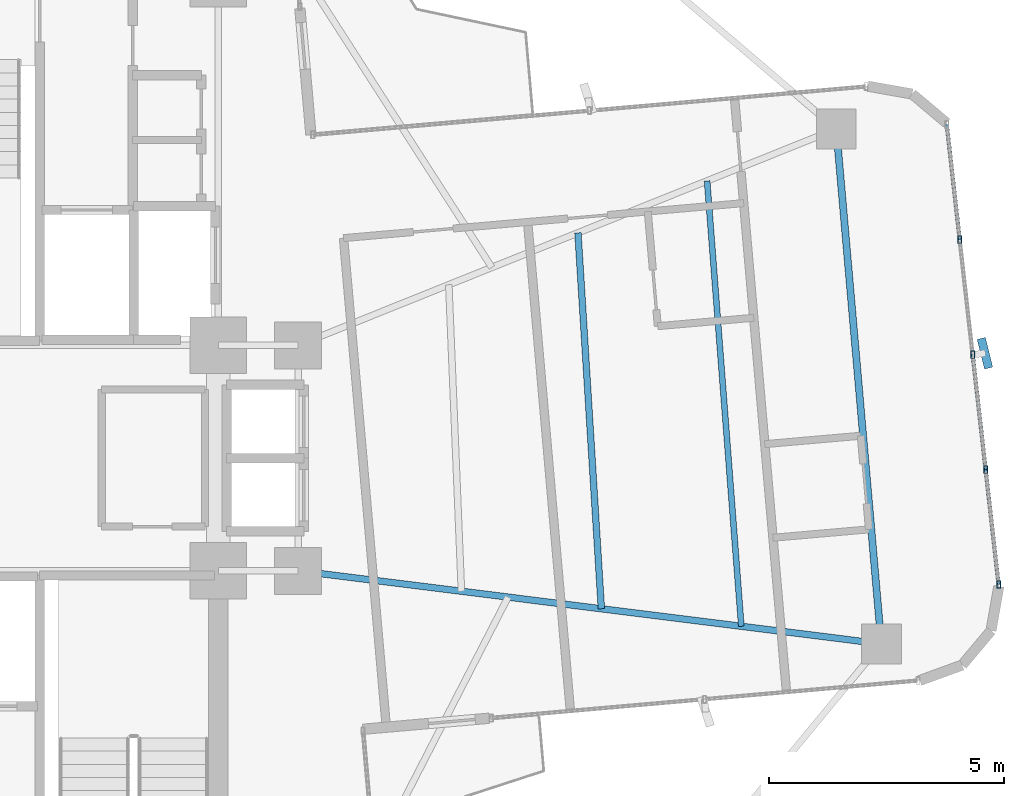
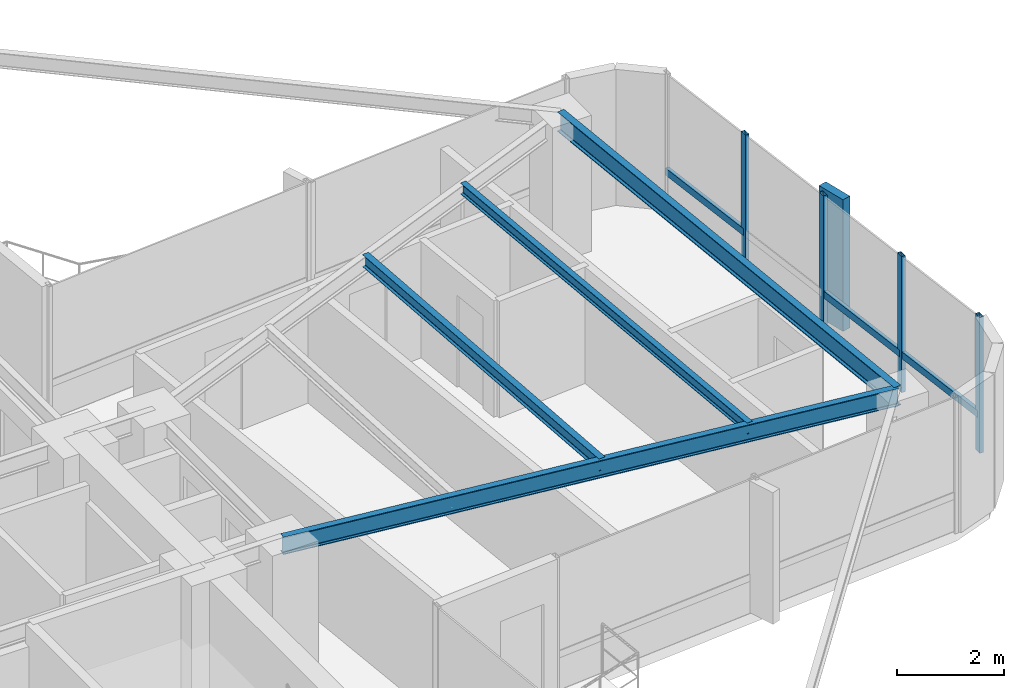
# One storey, part 14 of 24: 8 members, 4 beams, 1 element without a shape of its own.
"""IFC4 building model written with IfcOpenShell, lengths in metres."""

from ifc_helpers import new_model, si_unit, direction, frame, origin, origin_2d, place, context, subcontext, project, spatial, rectangle, hollow_rectangle, i_section, extrude, source, transform, mapped, material, material_profile, profile_set, type_object, element, aggregate, save


model = new_model("IFC4")

# Units and contexts
model_context = context("Model", 3, precision=1e-05, world=origin(), true_north=direction((0.0, 1.0)))
body_context = subcontext(model_context, "Body", "Model", "MODEL_VIEW")
ifc_project = project(units=[si_unit("LENGTHUNIT", "METRE"), si_unit("AREAUNIT", "SQUARE_METRE"), si_unit("VOLUMEUNIT", "CUBIC_METRE"), si_unit("PLANEANGLEUNIT", "RADIAN"), si_unit("MASSUNIT", "GRAM", prefix="KILO")], contexts=[model_context])

# Site, building, storey
site_placement = place(None, origin())
site = spatial("IfcSite", under=ifc_project, at=site_placement, CompositionType="ELEMENT")
building_placement = place(site_placement, origin())
building = spatial("IfcBuilding", under=site, at=building_placement, Name="Sahyath Konkavel Grand Hotel", CompositionType="ELEMENT")
storey_placement = place(building_placement, frame((0.0, 0.0, 178.550048828125)))
storey = spatial("IfcBuildingStorey", under=building, at=storey_placement, Name="L49", CompositionType="ELEMENT", Elevation=178.550048828125)

# Beams
ifc_material_1 = material(Name="Steel E350", Category="steel")
ifc_material_profile_1 = material_profile(ifc_material_1, i_section(OverallWidth=0.139892578125, OverallDepth=0.39990234375, WebThickness=0.0087890625, FlangeThickness=0.01611328125, FilletRadius=0.013916015625, at=origin_2d()), Name="ISMB 400")
ifc_profile_set_1 = profile_set([ifc_material_profile_1], Name="Steel E350")
beam_type_1 = type_object("IfcBeamType", Name="BM-ISMB400", PredefinedType="BEAM", material=ifc_profile_set_1)
shared_shape_1 = source(origin(), body_context, "Body", "SweptSolid", [
    extrude(i_section(OverallWidth=0.139892578125, OverallDepth=0.39990234375, WebThickness=0.0087890625, FlangeThickness=0.01611328125, FilletRadius=0.013916015625, at=origin_2d()), origin(), (0.0, 0.0, 1.0), 12.509765625),
])
beam_1_placement = place(storey_placement, frame((5.5, -2.39990234375, 2.909912109375), z_axis=(0.992254740459, -0.124219684578, 0.0), x_axis=(0.124219684578, 0.992254740459, 0.0)))
element("IfcBeam", 1, at=beam_1_placement, inside=storey, type_object=beam_type_1, Name="L49 Cruciform Radial Girder EA", PredefinedType="BEAM", context=body_context, shape_type="MappedRepresentation", body=[
    mapped(shared_shape_1, transform((0.0, 0.0, 0.0), scale=1.0)),
])
ifc_material_profile_2 = material_profile(ifc_material_1, i_section(OverallWidth=0.14990234375, OverallDepth=0.449951171875, WebThickness=0.009521484375, FlangeThickness=0.017333984375, FilletRadius=0.014892578125, at=origin_2d()), Name="ISMB 450")
ifc_profile_set_2 = profile_set([ifc_material_profile_2], Name="Steel E350")
beam_type_2 = type_object("IfcBeamType", Name="BM-ISMB450", PredefinedType="BEAM", material=ifc_profile_set_2)
shared_shape_2 = source(origin(), body_context, "Body", "SweptSolid", [
    extrude(i_section(OverallWidth=0.14990234375, OverallDepth=0.449951171875, WebThickness=0.009521484375, FlangeThickness=0.017333984375, FilletRadius=0.014892578125, at=origin_2d()), origin(), (0.0, 0.0, 1.0), 11.0),
])
beam_2_placement = place(storey_placement, frame((17.912841796875, -3.953857421875, 2.885009765625), z_axis=(-0.087157314015, 0.996194560622, 0.0), x_axis=(-0.996194560622, -0.087157314015, 0.0)))
element("IfcBeam", 2, at=beam_2_placement, inside=storey, type_object=beam_type_2, Name="L49 Wing Tip Edge Beam E", PredefinedType="BEAM", context=body_context, shape_type="MappedRepresentation", body=[
    mapped(shared_shape_2, transform((0.0, 0.0, 0.0), scale=1.0)),
])
ifc_material_profile_3 = material_profile(ifc_material_1, i_section(OverallWidth=0.139892578125, OverallDepth=0.27490234375, WebThickness=0.00634765625, FlangeThickness=0.0087890625, FilletRadius=0.012939453125, at=origin_2d()), Name="ISLB 275")
ifc_profile_set_3 = profile_set([ifc_material_profile_3], Name="Steel E350")
beam_type_3 = type_object("IfcBeamType", Name="BM-ISLB275", PredefinedType="BEAM", material=ifc_profile_set_3)
shared_shape_3 = source(origin(), body_context, "Body", "SweptSolid", [
    extrude(i_section(OverallWidth=0.139892578125, OverallDepth=0.27490234375, WebThickness=0.00634765625, FlangeThickness=0.0087890625, FilletRadius=0.012939453125, at=origin_2d()), origin(), (0.0, 0.0, 1.0), 8.017822265625),
])
beam_3_placement = place(storey_placement, frame((11.95458984375, -3.2080078125, 2.972412109375), z_axis=(-0.062179233264, 0.998064999362, 0.0), x_axis=(-0.998064999362, -0.062179233264, 0.0)))
element("IfcBeam", 3, at=beam_3_placement, inside=storey, type_object=beam_type_3, Name="L49 Secondary Floor Beam E-2", PredefinedType="BEAM", context=body_context, shape_type="MappedRepresentation", body=[
    mapped(shared_shape_3, transform((0.0, 0.0, 0.0), scale=1.0)),
])
ifc_material_profile_4 = material_profile(ifc_material_1, i_section(OverallWidth=0.125, OverallDepth=0.25, WebThickness=0.0068359375, FlangeThickness=0.012451171875, FilletRadius=0.012939453125, at=origin_2d()), Name="ISMB 250")
ifc_profile_set_4 = profile_set([ifc_material_profile_4], Name="Steel E350")
beam_type_4 = type_object("IfcBeamType", Name="BM-ISMB250", PredefinedType="BEAM", material=ifc_profile_set_4)
shared_shape_4 = source(origin(), body_context, "Body", "SweptSolid", [
    extrude(i_section(OverallWidth=0.125, OverallDepth=0.25, WebThickness=0.0068359375, FlangeThickness=0.012451171875, FilletRadius=0.012939453125, at=origin_2d()), origin(), (0.0, 0.0, 1.0), 9.508056640625),
])
beam_4_placement = place(storey_placement, frame((14.93359375, -3.580810546875, 2.98486328125), z_axis=(-0.076619921029, 0.997060373148, 0.0), x_axis=(-0.997060373148, -0.076619921029, 0.0)))
element("IfcBeam", 4, at=beam_4_placement, inside=storey, type_object=beam_type_4, Name="L49 Secondary Floor Beam E-3", PredefinedType="BEAM", context=body_context, shape_type="MappedRepresentation", body=[
    mapped(shared_shape_4, transform((0.0, 0.0, 0.0), scale=1.0)),
])

# Curtain wall, members
ifc_material_2 = material(Name="Anodised Bronze Aluminium & Low-E Glazing", Category="aluminium")
curtain_wall_type = type_object("IfcCurtainWallType", Name="CW-ZONE3", PredefinedType="NOTDEFINED", material=ifc_material_2)
curtain_wall_placement = place(storey_placement, origin())
curtain_wall = element("IfcCurtainWall", 5, at=curtain_wall_placement, inside=storey, type_object=curtain_wall_type, Name="L49 Unitised Curtain Wall F4", PredefinedType="NOTDEFINED")
ifc_material_3 = material(Name="Anodised Bronze Aluminium", Category="aluminium")
ifc_material_profile_5 = material_profile(ifc_material_3, hollow_rectangle(XDim=0.080078125, YDim=0.159912109375, WallThickness=0.006103515625, at=origin_2d()), Name="RHS 160x80x6")
ifc_profile_set_5 = profile_set([ifc_material_profile_5], Name="Anodised Bronze Aluminium")
member_type_1 = type_object("IfcMemberType", Name="CW-MUL-160", PredefinedType="MULLION", material=ifc_profile_set_5)
shared_shape_5 = source(origin(), body_context, "Body", "SweptSolid", [
    extrude(hollow_rectangle(XDim=0.080078125, YDim=0.159912109375, WallThickness=0.006103515625, at=origin_2d()), origin(), (0.0, 0.0, 1.0), 3.10986328125),
])
member_1_placement = place(storey_placement, frame((20.4111328125, -2.69140625, 0.0), z_axis=(0.0, 0.0, 1.0), x_axis=(1.0, 0.0, 0.0)))
member_1 = element("IfcMember", 6, at=member_1_placement, type_object=member_type_1, Name="L49 Curtain Wall Mullion F4-0", PredefinedType="MULLION", context=body_context, shape_type="MappedRepresentation", body=[
    mapped(shared_shape_5, transform((0.0, 0.0, 0.0), scale=1.0)),
])
member_2_placement = place(storey_placement, frame((20.135498046875, -0.24462890625, 0.0), z_axis=(0.0, 0.0, 1.0), x_axis=(1.0, 0.0, 0.0)))
member_2 = element("IfcMember", 7, at=member_2_placement, type_object=member_type_1, Name="L49 Curtain Wall Mullion F4-1", PredefinedType="MULLION", context=body_context, shape_type="MappedRepresentation", body=[
    mapped(shared_shape_5, transform((0.0, 0.0, 0.0), scale=1.0)),
])
member_3_placement = place(storey_placement, frame((19.859619140625, 2.201904296875, 0.0), z_axis=(0.0, 0.0, 1.0), x_axis=(1.0, 0.0, 0.0)))
member_3 = element("IfcMember", 8, at=member_3_placement, type_object=member_type_1, Name="L49 Curtain Wall Mullion F4-2", PredefinedType="MULLION", context=body_context, shape_type="MappedRepresentation", body=[
    mapped(shared_shape_5, transform((0.0, 0.0, 0.0), scale=1.0)),
])
member_4_placement = place(storey_placement, frame((19.583984375, 4.648193359375, 0.0), z_axis=(0.0, 0.0, 1.0), x_axis=(1.0, 0.0, 0.0)))
member_4 = element("IfcMember", 9, at=member_4_placement, type_object=member_type_1, Name="L49 Curtain Wall Mullion F4-3", PredefinedType="MULLION", context=body_context, shape_type="MappedRepresentation", body=[
    mapped(shared_shape_5, transform((0.0, 0.0, 0.0), scale=1.0)),
])
ifc_material_4 = material(Name="Warm Buff Sandstone Cladding on Concrete C50/60", Category="masonry")
ifc_material_profile_6 = material_profile(ifc_material_4, rectangle(XDim=0.179931640625, YDim=0.64990234375, at=origin_2d()), Name="FIN 180x650")
ifc_profile_set_6 = profile_set([ifc_material_profile_6], Name="Warm Buff Sandstone Cladding on Concrete C50/60")
member_type_2 = type_object("IfcMemberType", Name="FIN-SANDSTONE-650", PredefinedType="MULLION", material=ifc_profile_set_6)
shared_shape_6 = source(origin(), body_context, "Body", "SweptSolid", [
    extrude(rectangle(XDim=0.179931640625, YDim=0.64990234375, at=origin_2d()), origin(), (0.0, 0.0, 1.0), 3.010009765625),
])
member_5_placement = place(storey_placement, frame((20.1181640625, 2.23095703125, 0.050048828125), z_axis=(0.0, 0.0, 1.0), x_axis=(0.970842131618, 0.239719743609, 0.0)))
member_5 = element("IfcMember", 10, at=member_5_placement, type_object=member_type_2, Name="L49 Sandstone Vertical Solar Fin FIN F4-2", PredefinedType="MULLION", context=body_context, shape_type="MappedRepresentation", body=[
    mapped(shared_shape_6, transform((0.0, 0.0, 0.0), scale=1.0)),
])
ifc_material_profile_7 = material_profile(ifc_material_3, hollow_rectangle(XDim=0.080078125, YDim=0.159912109375, WallThickness=0.006103515625, at=origin_2d()), Name="RHS 160x80x6")
ifc_profile_set_7 = profile_set([ifc_material_profile_7], Name="Anodised Bronze Aluminium")
member_type_3 = type_object("IfcMemberType", Name="CW-TRN-160", PredefinedType="USERDEFINED", material=ifc_profile_set_7)
shared_shape_7 = source(origin(), body_context, "Body", "SweptSolid", [
    extrude(hollow_rectangle(XDim=0.080078125, YDim=0.159912109375, WallThickness=0.006103515625, at=origin_2d()), origin(), (0.0, 0.0, 1.0), 2.462158203125),
])
member_6_placement = place(storey_placement, frame((20.4111328125, -2.69140625, 0.849853515625), z_axis=(-0.11194409079, 0.993714506555, 0.0), x_axis=(-0.993714506555, -0.11194409079, 0.0)))
member_6 = element("IfcMember", 11, at=member_6_placement, type_object=member_type_3, Name="L49 Curtain Wall Transom F4-0-spandrel", ObjectType="TRANSOM", PredefinedType="USERDEFINED", context=body_context, shape_type="MappedRepresentation", body=[
    mapped(shared_shape_7, transform((0.0, 0.0, 0.0), scale=1.0)),
])
member_7_placement = place(storey_placement, frame((20.135498046875, -0.24462890625, 0.849853515625), z_axis=(-0.112053040279, 0.99370222711, 0.0), x_axis=(-0.99370222711, -0.112053040279, 0.0)))
member_7 = element("IfcMember", 12, at=member_7_placement, type_object=member_type_3, Name="L49 Curtain Wall Transom F4-1-spandrel", ObjectType="TRANSOM", PredefinedType="USERDEFINED", context=body_context, shape_type="MappedRepresentation", body=[
    mapped(shared_shape_7, transform((0.0, 0.0, 0.0), scale=1.0)),
])
member_8_placement = place(storey_placement, frame((19.583984375, 4.648193359375, 0.849853515625), z_axis=(-0.11194409079, 0.993714506555, 0.0), x_axis=(-0.993714506555, -0.11194409079, 0.0)))
member_8 = element("IfcMember", 13, at=member_8_placement, type_object=member_type_3, Name="L49 Curtain Wall Transom F4-3-spandrel", ObjectType="TRANSOM", PredefinedType="USERDEFINED", context=body_context, shape_type="MappedRepresentation", body=[
    mapped(shared_shape_7, transform((0.0, 0.0, 0.0), scale=1.0)),
])
aggregate(curtain_wall, [member_1, member_2, member_3, member_5, member_4, member_6, member_7, member_8])

save(model, "model.ifc")
